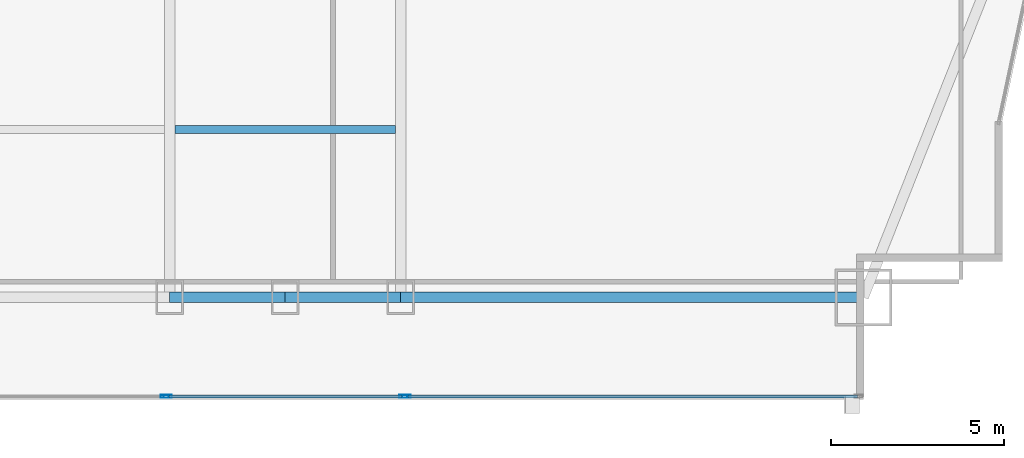
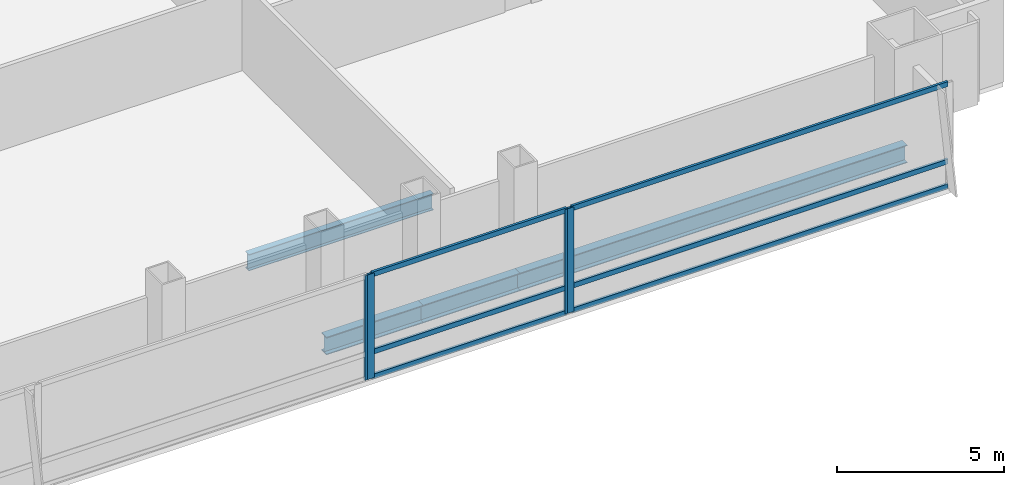
# One storey, part 14 of 35: 10 members, 4 beams, 3 elements without a shape of their own.
"""IFC4 building model written with IfcOpenShell, lengths in metres."""

from ifc_helpers import new_model, si_unit, direction, frame, origin, origin_2d, place, context, subcontext, project, spatial, hollow_rectangle, i_section, extrude, material, material_profile, profile_set, type_object, element, aggregate, save


model = new_model("IFC4")

# Units and contexts
model_context = context("Model", 3, precision=1e-05, world=origin(), true_north=direction((0.0, 1.0)))
body_context = subcontext(model_context, "Body", "Model", "MODEL_VIEW")
ifc_project = project(units=[si_unit("LENGTHUNIT", "METRE"), si_unit("AREAUNIT", "SQUARE_METRE"), si_unit("VOLUMEUNIT", "CUBIC_METRE"), si_unit("PLANEANGLEUNIT", "RADIAN"), si_unit("MASSUNIT", "GRAM", prefix="KILO")], contexts=[model_context])

# Site, building, storey
site_placement = place(None, origin())
site = spatial("IfcSite", under=ifc_project, at=site_placement, CompositionType="ELEMENT")
building_placement = place(site_placement, origin())
building = spatial("IfcBuilding", under=site, at=building_placement, Name="Khoronbel Lancet Exchange", CompositionType="ELEMENT")
storey_placement = place(building_placement, frame((0.0, 0.0, 53.800048828125)))
storey = spatial("IfcBuildingStorey", under=building, at=storey_placement, Name="L12", CompositionType="ELEMENT", Elevation=53.800048828125)

# Beams
ifc_material_1 = material(Name="Steel S355", Category="steel")
ifc_material_profile_1 = material_profile(ifc_material_1, i_section(OverallWidth=0.219970703125, OverallDepth=0.60009765625, WebThickness=0.011962890625, FlangeThickness=0.01904296875, at=origin_2d()), Name="IPE 600")
ifc_profile_set_1 = profile_set([ifc_material_profile_1], Name="Steel S355")
beam_type_1 = type_object("IfcBeamType", Name="BM-BJ1", PredefinedType="JOIST", material=ifc_profile_set_1)
beam_1_placement = place(storey_placement, frame((48.14990234375, 15.0, -0.47998046875), z_axis=(1.0, 0.0, 0.0), x_axis=(0.0, 1.0, 0.0)))
element("IfcBeam", 1, at=beam_1_placement, inside=storey, type_object=beam_type_1, Name="Level L12 secondary composite joist J05", PredefinedType="JOIST", context=body_context, shape_type="SweptSolid", body=[
    extrude(i_section(OverallWidth=0.219970703125, OverallDepth=0.60009765625, WebThickness=0.011962890625, FlangeThickness=0.01904296875, at=origin_2d()), origin(), (0.0, 0.0, 1.0), 6.375),
])
ifc_material_profile_2 = material_profile(ifc_material_1, i_section(OverallWidth=0.300048828125, OverallDepth=0.64990234375, WebThickness=0.01611328125, FlangeThickness=0.031005859375, at=origin_2d()), Name="HEB 650")
ifc_profile_set_2 = profile_set([ifc_material_profile_2], Name="Steel S355")
beam_type_2 = type_object("IfcBeamType", Name="BM-BSP1", PredefinedType="SPANDREL", material=ifc_profile_set_2)
beam_2_placement = place(storey_placement, frame((48.0, 10.14990234375, -0.505126953125), z_axis=(1.0, 0.0, 0.0), x_axis=(0.0, 1.0, 0.0)))
element("IfcBeam", 2, at=beam_2_placement, inside=storey, type_object=beam_type_2, Name="Level L12 perimeter spandrel beam SP07", PredefinedType="SPANDREL", context=body_context, shape_type="SweptSolid", body=[
    extrude(i_section(OverallWidth=0.300048828125, OverallDepth=0.64990234375, WebThickness=0.01611328125, FlangeThickness=0.031005859375, at=origin_2d()), origin(), (0.0, 0.0, 1.0), 3.33740234375),
])
beam_3_placement = place(storey_placement, frame((51.33740234375, 10.14990234375, -0.505126953125), z_axis=(1.0, 0.0, 0.0), x_axis=(0.0, 1.0, 0.0)))
element("IfcBeam", 3, at=beam_3_placement, inside=storey, type_object=beam_type_2, Name="Level L12 perimeter spandrel beam SP08", PredefinedType="SPANDREL", context=body_context, shape_type="SweptSolid", body=[
    extrude(i_section(OverallWidth=0.300048828125, OverallDepth=0.64990234375, WebThickness=0.01611328125, FlangeThickness=0.031005859375, at=origin_2d()), origin(), (0.0, 0.0, 1.0), 3.337646484375),
])
beam_4_placement = place(storey_placement, frame((54.675048828125, 10.14990234375, -0.505126953125), z_axis=(1.0, 0.0, 0.0), x_axis=(0.0, 1.0, 0.0)))
element("IfcBeam", 4, at=beam_4_placement, inside=storey, type_object=beam_type_2, Name="Level L12 perimeter spandrel beam SP09", PredefinedType="SPANDREL", context=body_context, shape_type="SweptSolid", body=[
    extrude(i_section(OverallWidth=0.300048828125, OverallDepth=0.64990234375, WebThickness=0.01611328125, FlangeThickness=0.031005859375, at=origin_2d()), origin(), (0.0, 0.0, 1.0), 13.375),
])

# Curtain wall, member
ifc_material_2 = material(Name="Low-E Solar Control Insulating Glass", Category="glass")
curtain_wall_type = type_object("IfcCurtainWallType", Name="CW-1", PredefinedType="NOTDEFINED", material=ifc_material_2)
curtain_wall_1_placement = place(storey_placement, origin())
curtain_wall_1 = element("IfcCurtainWall", 5, at=curtain_wall_1_placement, inside=storey, type_object=curtain_wall_type, Name="Unitised curtain wall CW-L12-SCV", PredefinedType="NOTDEFINED")
ifc_material_3 = material(Name="Bronze-Anodised Aluminium 6063-T6", Category="aluminium")
ifc_material_profile_3 = material_profile(ifc_material_3, hollow_rectangle(XDim=0.0849609375, YDim=0.239990234375, WallThickness=0.006103515625, at=origin_2d()), Name="ALU MULLION 85x240")
ifc_profile_set_3 = profile_set([ifc_material_profile_3], Name="Bronze-Anodised Aluminium 6063-T6")
member_type_1 = type_object("IfcMemberType", Name="MEM-CWM1", PredefinedType="MULLION", material=ifc_profile_set_3)
member_1_placement = place(storey_placement, frame((47.857421875, 7.2900390625, 0.0), z_axis=(0.0, 0.0, 1.0), x_axis=(0.0, 1.0, 0.0)))
member_1 = element("IfcMember", 6, at=member_1_placement, type_object=member_type_1, Name="CW1 mullion 3", PredefinedType="MULLION", context=body_context, shape_type="SweptSolid", body=[
    extrude(hollow_rectangle(XDim=0.0849609375, YDim=0.239990234375, WallThickness=0.006103515625, at=origin_2d()), origin(), (0.0, 0.0, 1.0), 3.820068359375),
])
aggregate(curtain_wall_1, [member_1])

# Curtain wall, members
curtain_wall_2_placement = place(storey_placement, origin())
curtain_wall_2 = element("IfcCurtainWall", 7, at=curtain_wall_2_placement, inside=storey, type_object=curtain_wall_type, Name="Unitised curtain wall CW-L12-SEB", PredefinedType="NOTDEFINED")
member_2_placement = place(storey_placement, frame((47.9423828125, 7.2900390625, 0.0), z_axis=(0.0, 0.0, 1.0), x_axis=(0.0, 1.0, 0.0)))
member_2 = element("IfcMember", 8, at=member_2_placement, type_object=member_type_1, Name="CW1 mullion 1", PredefinedType="MULLION", context=body_context, shape_type="SweptSolid", body=[
    extrude(hollow_rectangle(XDim=0.0849609375, YDim=0.239990234375, WallThickness=0.006103515625, at=origin_2d()), origin(), (0.0, 0.0, 1.0), 3.820068359375),
])
member_3_placement = place(storey_placement, frame((54.757568359375, 7.2900390625, 0.0), z_axis=(0.0, 0.0, 1.0), x_axis=(0.0, 1.0, 0.0)))
member_3 = element("IfcMember", 9, at=member_3_placement, type_object=member_type_1, Name="CW1 mullion 2", PredefinedType="MULLION", context=body_context, shape_type="SweptSolid", body=[
    extrude(hollow_rectangle(XDim=0.0849609375, YDim=0.239990234375, WallThickness=0.006103515625, at=origin_2d()), origin(), (0.0, 0.0, 1.0), 3.820068359375),
])

# Curtain wall, member
curtain_wall_3_placement = place(storey_placement, origin())
curtain_wall_3 = element("IfcCurtainWall", 10, at=curtain_wall_3_placement, inside=storey, type_object=curtain_wall_type, Name="Unitised curtain wall CW-L12-SEV", PredefinedType="NOTDEFINED")
member_4_placement = place(storey_placement, frame((54.842529296875, 7.2900390625, 0.0), z_axis=(0.0, 0.0, 1.0), x_axis=(0.0, 1.0, 0.0)))
member_4 = element("IfcMember", 11, at=member_4_placement, type_object=member_type_1, Name="CW1 mullion 1", PredefinedType="MULLION", context=body_context, shape_type="SweptSolid", body=[
    extrude(hollow_rectangle(XDim=0.0849609375, YDim=0.239990234375, WallThickness=0.006103515625, at=origin_2d()), origin(), (0.0, 0.0, 1.0), 3.820068359375),
])

# Member
ifc_material_profile_4 = material_profile(ifc_material_3, hollow_rectangle(XDim=0.0849609375, YDim=0.179931640625, WallThickness=0.0048828125, at=origin_2d()), Name="ALU TRANSOM 85x180")
ifc_profile_set_4 = profile_set([ifc_material_profile_4], Name="Bronze-Anodised Aluminium 6063-T6")
member_type_2 = type_object("IfcMemberType", Name="MEM-CWT1", PredefinedType="USERDEFINED", material=ifc_profile_set_4)
member_5_placement = place(storey_placement, frame((47.985107421875, 7.2900390625, 0.04248046875), z_axis=(1.0, 0.0, 0.0), x_axis=(0.0, 1.0, 0.0)))
member_5 = element("IfcMember", 12, at=member_5_placement, type_object=member_type_2, Name="CW1 transom 1.1", ObjectType="TRANSOM", PredefinedType="USERDEFINED", context=body_context, shape_type="SweptSolid", body=[
    extrude(hollow_rectangle(XDim=0.0849609375, YDim=0.179931640625, WallThickness=0.0048828125, at=origin_2d()), origin(), (0.0, 0.0, 1.0), 6.72998046875),
])

member_6_placement = place(storey_placement, frame((47.985107421875, 7.2900390625, 0.949951171875), z_axis=(1.0, 0.0, 0.0), x_axis=(0.0, 1.0, 0.0)))
member_6 = element("IfcMember", 13, at=member_6_placement, type_object=member_type_2, Name="CW1 transom 1.2", ObjectType="TRANSOM", PredefinedType="USERDEFINED", context=body_context, shape_type="SweptSolid", body=[
    extrude(hollow_rectangle(XDim=0.0849609375, YDim=0.179931640625, WallThickness=0.0048828125, at=origin_2d()), origin(), (0.0, 0.0, 1.0), 6.72998046875),
])

member_7_placement = place(storey_placement, frame((47.985107421875, 7.2900390625, 3.77734375), z_axis=(1.0, 0.0, 0.0), x_axis=(0.0, 1.0, 0.0)))
member_7 = element("IfcMember", 14, at=member_7_placement, type_object=member_type_2, Name="CW1 transom 1.3", ObjectType="TRANSOM", PredefinedType="USERDEFINED", context=body_context, shape_type="SweptSolid", body=[
    extrude(hollow_rectangle(XDim=0.0849609375, YDim=0.179931640625, WallThickness=0.0048828125, at=origin_2d()), origin(), (0.0, 0.0, 1.0), 6.72998046875),
])

aggregate(curtain_wall_2, [member_2, member_3, member_5, member_6, member_7])

member_8_placement = place(storey_placement, frame((54.885009765625, 7.2900390625, 0.04248046875), z_axis=(1.0, 0.0, 0.0), x_axis=(0.0, 1.0, 0.0)))
member_8 = element("IfcMember", 15, at=member_8_placement, type_object=member_type_2, Name="CW1 transom 1.1", ObjectType="TRANSOM", PredefinedType="USERDEFINED", context=body_context, shape_type="SweptSolid", body=[
    extrude(hollow_rectangle(XDim=0.0849609375, YDim=0.179931640625, WallThickness=0.0048828125, at=origin_2d()), origin(), (0.0, 0.0, 1.0), 12.989990234375),
])

member_9_placement = place(storey_placement, frame((54.885009765625, 7.2900390625, 0.949951171875), z_axis=(1.0, 0.0, 0.0), x_axis=(0.0, 1.0, 0.0)))
member_9 = element("IfcMember", 16, at=member_9_placement, type_object=member_type_2, Name="CW1 transom 1.2", ObjectType="TRANSOM", PredefinedType="USERDEFINED", context=body_context, shape_type="SweptSolid", body=[
    extrude(hollow_rectangle(XDim=0.0849609375, YDim=0.179931640625, WallThickness=0.0048828125, at=origin_2d()), origin(), (0.0, 0.0, 1.0), 12.989990234375),
])

member_10_placement = place(storey_placement, frame((54.885009765625, 7.2900390625, 3.77734375), z_axis=(1.0, 0.0, 0.0), x_axis=(0.0, 1.0, 0.0)))
member_10 = element("IfcMember", 17, at=member_10_placement, type_object=member_type_2, Name="CW1 transom 1.3", ObjectType="TRANSOM", PredefinedType="USERDEFINED", context=body_context, shape_type="SweptSolid", body=[
    extrude(hollow_rectangle(XDim=0.0849609375, YDim=0.179931640625, WallThickness=0.0048828125, at=origin_2d()), origin(), (0.0, 0.0, 1.0), 12.989990234375),
])

aggregate(curtain_wall_3, [member_4, member_8, member_9, member_10])

save(model, "model.ifc")
